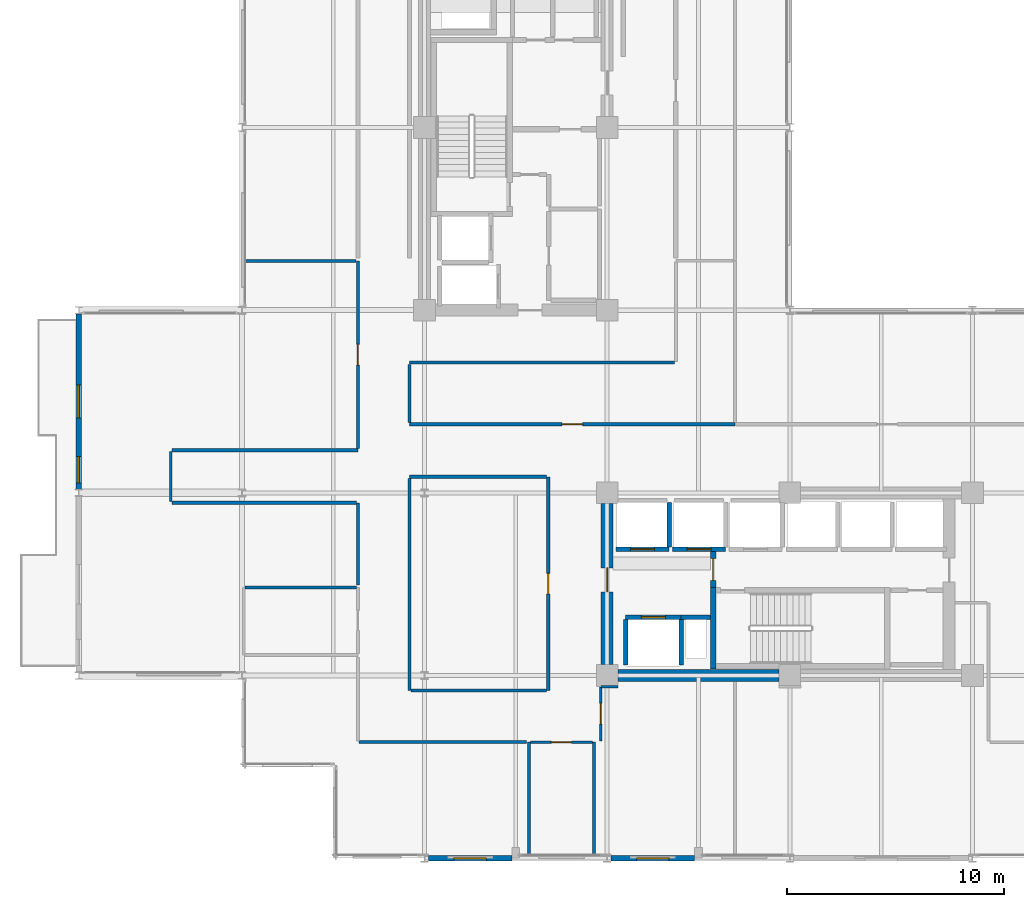
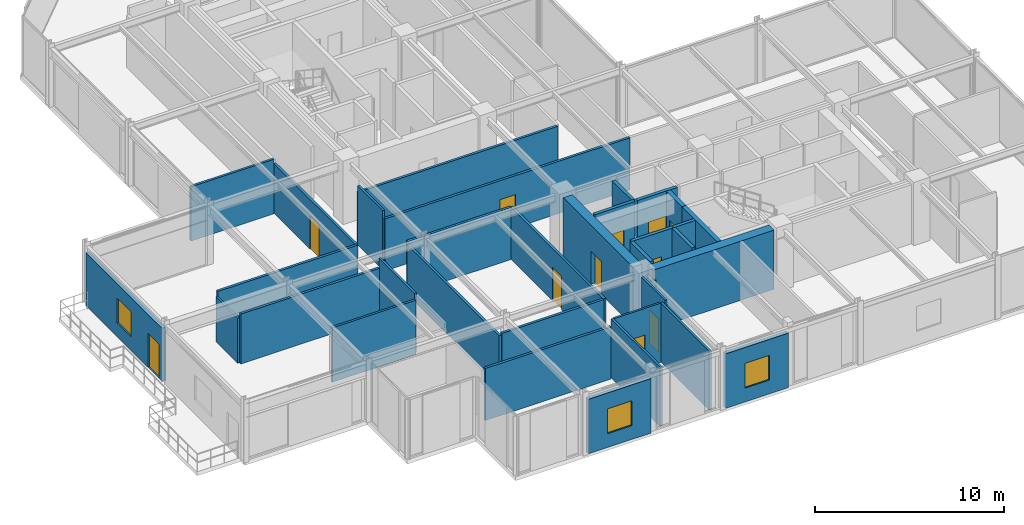
# One storey, part 24 of 29: 34 walls, 11 doors, 3 windows, 14 openings.
"""IFC4 building model written with IfcOpenShell, lengths in metres."""

from ifc_helpers import new_model, si_unit, direction, frame, frame_2d, origin, place, context, subcontext, project, spatial, rectangle, extrude, material, layer, layer_set, type_object, element, fill, save


model = new_model("IFC4")

# Units and contexts
model_context = context("Model", 3, precision=1e-05, world=origin(), true_north=direction((0.0, 1.0)))
body_context = subcontext(model_context, "Body", "Model", "MODEL_VIEW")
ifc_project = project(units=[si_unit("LENGTHUNIT", "METRE"), si_unit("AREAUNIT", "SQUARE_METRE"), si_unit("VOLUMEUNIT", "CUBIC_METRE"), si_unit("PLANEANGLEUNIT", "RADIAN"), si_unit("MASSUNIT", "GRAM", prefix="KILO")], contexts=[model_context])

# Site, building, storey
site_placement = place(None, origin())
site = spatial("IfcSite", under=ifc_project, at=site_placement, CompositionType="ELEMENT")
building_placement = place(site_placement, origin())
building = spatial("IfcBuilding", under=site, at=building_placement, Name="Nerrivon Quay Data Exchange", CompositionType="ELEMENT")
storey_placement = place(building_placement, frame((0.0, 0.0, 208.300048828125)))
storey = spatial("IfcBuildingStorey", under=building, at=storey_placement, Name="L49", CompositionType="ELEMENT", Elevation=208.300048828125)

# Wall, openings, door, window
ifc_material_1 = material(Name="Architectural terracotta precast concrete N50 (50 MPa)", Category="masonry")
ifc_layer_1 = layer(ifc_material_1, 0.239990234375)
ifc_layer_set_1 = layer_set([ifc_layer_1], Name="Architectural terracotta precast concrete N50 (50 MPa)")
wall_type_1 = type_object("IfcWallType", Name="EW-PREC-240", PredefinedType="STANDARD", material=ifc_layer_set_1)
wall_1_placement = place(storey_placement, frame((-7.5, 16.96337890625, 0.0), z_axis=(0.0, 0.0, 1.0), x_axis=(0.0, 1.0, 0.0)))
wall_1 = element("IfcWall", 1, at=wall_1_placement, inside=storey, type_object=wall_type_1, Name="L49 Terrace Host Wall 2", PredefinedType="STANDARD", context=body_context, shape_type="SweptSolid", body=[
    extrude(rectangle(XDim=8.0732421875, YDim=0.239990234375, at=frame_2d((4.03662109375, 0.0))), origin(), (0.0, 0.0, 1.0), 3.421875),
])
opening_1_placement = place(wall_1_placement, frame((0.300048828125, 0.0, 0.0)))
opening_1 = element("IfcOpeningElement", 2, at=opening_1_placement, cuts=wall_1, Name="Opening TD1", PredefinedType="OPENING", context=body_context, shape_type="SweptSolid", body=[
    extrude(rectangle(XDim=1.199951171875, YDim=2.199951171875, at=frame_2d((0.60009765625, 1.10009765625))), frame((0.0, 0.1298828125, 0.0), z_axis=(0.0, -1.0, 0.0), x_axis=(1.0, 0.0, 0.0)), (0.0, 0.0, 1.0), 0.260009765625),
])
opening_2_placement = place(wall_1_placement, frame((3.28662109375, 0.0, 0.89990234375)))
opening_2 = element("IfcOpeningElement", 3, at=opening_2_placement, cuts=wall_1, Name="Opening WN4", PredefinedType="OPENING", context=body_context, shape_type="SweptSolid", body=[
    extrude(rectangle(XDim=1.5, YDim=1.60009765625, at=frame_2d((0.75, 0.800048828125))), frame((0.0, 0.1298828125, 0.0), z_axis=(0.0, -1.0, 0.0), x_axis=(1.0, 0.0, 0.0)), (0.0, 0.0, 1.0), 0.260009765625),
])
ifc_material_2 = material(Name="Double-glazed low-E solar control glass", Category="glass")
door_type_1 = type_object("IfcDoorType", Name="DR-TERR-1200x2200", OperationType="NOTDEFINED", PredefinedType="DOOR", material=ifc_material_2)
door_1_placement = place(opening_1_placement, origin())
door_1 = element("IfcDoor", 4, at=door_1_placement, inside=storey, type_object=door_type_1, Name="L49 Outdoor Terrace Access Door 2", OperationType="SINGLE_SWING_LEFT", OverallHeight=2.199951171875, OverallWidth=1.199951171875, PredefinedType="DOOR", context=body_context, shape_type="SweptSolid", body=[
    extrude(rectangle(XDim=1.199951171875, YDim=2.199951171875, at=frame_2d((0.60009765625, 1.10009765625))), frame((0.0, 0.02490234375, 0.0), z_axis=(0.0, -1.0, 0.0), x_axis=(1.0, 0.0, 0.0)), (0.0, 0.0, 1.0), 0.050048828125),
])
fill(opening_1, door_1)
window_type = type_object("IfcWindowType", Name="WIN-W4-1500x1600", PartitioningType="SINGLE_PANEL", PredefinedType="WINDOW", material=ifc_material_2)
window_1_placement = place(opening_2_placement, origin())
window_1 = element("IfcWindow", 5, at=window_1_placement, inside=storey, type_object=window_type, Name="L49 Terrace Side Window 2", OverallHeight=1.60009765625, OverallWidth=1.5, PartitioningType="SINGLE_PANEL", PredefinedType="WINDOW", context=body_context, shape_type="SweptSolid", body=[
    extrude(rectangle(XDim=1.5, YDim=1.60009765625, at=frame_2d((0.75, 0.800048828125))), frame((0.0, 0.030029296875, 0.0), z_axis=(0.0, -1.0, 0.0), x_axis=(1.0, 0.0, 0.0)), (0.0, 0.0, 1.0), 0.06005859375),
])
fill(opening_2, window_1)

# Wall, opening, window
wall_2_placement = place(storey_placement, frame((20.824951171875, 0.0, 0.0), z_axis=(0.0, 0.0, 1.0), x_axis=(-1.0, 0.0, 0.0)))
wall_2 = element("IfcWall", 6, at=wall_2_placement, inside=storey, type_object=wall_type_1, Name="L49 Podium Precast Spandrel Wall 25", PredefinedType="STANDARD", context=body_context, shape_type="SweptSolid", body=[
    extrude(rectangle(XDim=3.849853515625, YDim=0.239990234375, at=frame_2d((1.9248046875, 0.0))), origin(), (0.0, 0.0, 1.0), 3.52490234375),
])
opening_3_placement = place(wall_2_placement, frame((1.175048828125, 0.0, 0.89990234375)))
opening_3 = element("IfcOpeningElement", 7, at=opening_3_placement, cuts=wall_2, Name="Opening WN4", PredefinedType="OPENING", context=body_context, shape_type="SweptSolid", body=[
    extrude(rectangle(XDim=1.5, YDim=1.60009765625, at=frame_2d((0.75, 0.800048828125))), frame((0.0, 0.1298828125, 0.0), z_axis=(0.0, -1.0, 0.0), x_axis=(1.0, 0.0, 0.0)), (0.0, 0.0, 1.0), 0.260009765625),
])
window_2_placement = place(opening_3_placement, origin())
window_2 = element("IfcWindow", 8, at=window_2_placement, inside=storey, type_object=window_type, Name="L49 Solar Facade Window 25", OverallHeight=1.60009765625, OverallWidth=1.5, PartitioningType="SINGLE_PANEL", PredefinedType="WINDOW", context=body_context, shape_type="SweptSolid", body=[
    extrude(rectangle(XDim=1.5, YDim=1.60009765625, at=frame_2d((0.75, 0.800048828125))), frame((0.0, 0.030029296875, 0.0), z_axis=(0.0, -1.0, 0.0), x_axis=(1.0, 0.0, 0.0)), (0.0, 0.0, 1.0), 0.06005859375),
])
fill(opening_3, window_2)

wall_3_placement = place(storey_placement, frame((12.425048828125, 0.0, 0.0), z_axis=(0.0, 0.0, 1.0), x_axis=(-1.0, 0.0, 0.0)))
wall_3 = element("IfcWall", 9, at=wall_3_placement, inside=storey, type_object=wall_type_1, Name="L49 Podium Precast Spandrel Wall 27", PredefinedType="STANDARD", context=body_context, shape_type="SweptSolid", body=[
    extrude(rectangle(XDim=3.85009765625, YDim=0.239990234375, at=frame_2d((1.925048828125, 0.0))), origin(), (0.0, 0.0, 1.0), 3.52490234375),
])
opening_4_placement = place(wall_3_placement, frame((1.175048828125, 0.0, 0.89990234375)))
opening_4 = element("IfcOpeningElement", 10, at=opening_4_placement, cuts=wall_3, Name="Opening WN4", PredefinedType="OPENING", context=body_context, shape_type="SweptSolid", body=[
    extrude(rectangle(XDim=1.5, YDim=1.60009765625, at=frame_2d((0.75, 0.800048828125))), frame((0.0, 0.1298828125, 0.0), z_axis=(0.0, -1.0, 0.0), x_axis=(1.0, 0.0, 0.0)), (0.0, 0.0, 1.0), 0.260009765625),
])
window_3_placement = place(opening_4_placement, origin())
window_3 = element("IfcWindow", 11, at=window_3_placement, inside=storey, type_object=window_type, Name="L49 Solar Facade Window 27", OverallHeight=1.60009765625, OverallWidth=1.5, PartitioningType="SINGLE_PANEL", PredefinedType="WINDOW", context=body_context, shape_type="SweptSolid", body=[
    extrude(rectangle(XDim=1.5, YDim=1.60009765625, at=frame_2d((0.75, 0.800048828125))), frame((0.0, 0.030029296875, 0.0), z_axis=(0.0, -1.0, 0.0), x_axis=(1.0, 0.0, 0.0)), (0.0, 0.0, 1.0), 0.06005859375),
])
fill(opening_4, window_3)

# Wall
ifc_material_3 = material(Name="Concrete S65 (65 MPa)", Category="concrete")
ifc_layer_2 = layer(ifc_material_3, 0.550048828125)
ifc_layer_set_2 = layer_set([ifc_layer_2], Name="Concrete S65 (65 MPa)")
wall_type_2 = type_object("IfcWallType", Name="WALL-CW-700", PredefinedType="SHEAR", material=ifc_layer_set_2)
wall_4_placement = place(storey_placement, frame((17.300048828125, 8.39990234375, 0.0), z_axis=(0.0, 0.0, 1.0), x_axis=(1.0, 0.0, 0.0)))
element("IfcWall", 12, at=wall_4_placement, inside=storey, type_object=wall_type_2, Name="L49 East Split-Core Shear Wall ECW-S1", PredefinedType="SHEAR", context=body_context, shape_type="SweptSolid", body=[
    extrude(rectangle(XDim=7.39990234375, YDim=0.550048828125, at=frame_2d((3.699951171875, 0.0))), origin(), (0.0, 0.0, 1.0), 3.824951171875),
])

# Wall, opening, door
wall_5_placement = place(storey_placement, frame((16.800048828125, 8.89990234375, 0.0), z_axis=(0.0, 0.0, 1.0), x_axis=(0.0, 1.0, 0.0)))
wall_5 = element("IfcWall", 13, at=wall_5_placement, inside=storey, type_object=wall_type_2, Name="L49 East Split-Core Shear Wall ECW-W1", PredefinedType="SHEAR", context=body_context, shape_type="SweptSolid", body=[
    extrude(rectangle(XDim=7.400146484375, YDim=0.550048828125, at=frame_2d((3.7001953125, 0.0))), origin(), (0.0, 0.0, 1.0), 3.824951171875),
])
opening_5_placement = place(wall_5_placement, frame((3.35009765625, 0.0, 0.0)))
opening_5 = element("IfcOpeningElement", 14, at=opening_5_placement, cuts=wall_5, Name="Opening FD-120", PredefinedType="OPENING", context=body_context, shape_type="SweptSolid", body=[
    extrude(rectangle(XDim=1.10009765625, YDim=2.14990234375, at=frame_2d((0.550048828125, 1.074951171875))), frame((0.0, 0.284912109375, 0.0), z_axis=(0.0, -1.0, 0.0), x_axis=(1.0, 0.0, 0.0)), (0.0, 0.0, 1.0), 0.570068359375),
])
ifc_material_4 = material(Name="Powder-coated galvanized steel sheet", Category="steel")
door_type_2 = type_object("IfcDoorType", Name="DR-FD120-1100", OperationType="NOTDEFINED", PredefinedType="DOOR", material=ifc_material_4)
door_2_placement = place(opening_5_placement, origin())
door_2 = element("IfcDoor", 15, at=door_2_placement, inside=storey, type_object=door_type_2, Name="L49 East Core Lobby Fire Door", OperationType="SINGLE_SWING_RIGHT", OverallHeight=2.14990234375, OverallWidth=1.10009765625, PredefinedType="DOOR", context=body_context, shape_type="SweptSolid", body=[
    extrude(rectangle(XDim=1.10009765625, YDim=2.14990234375, at=frame_2d((0.550048828125, 1.074951171875))), frame((0.0, 0.02490234375, 0.0), z_axis=(0.0, -1.0, 0.0), x_axis=(1.0, 0.0, 0.0)), (0.0, 0.0, 1.0), 0.050048828125),
])
fill(opening_5, door_2)

# Wall
ifc_material_5 = material(Name="Gypsum plasterboard on cold-formed framing", Category="gypsum")
ifc_layer_3 = layer(ifc_material_5, 0.199951171875)
ifc_layer_set_3 = layer_set([ifc_layer_3], Name="Gypsum plasterboard on cold-formed framing")
wall_type_3 = type_object("IfcWallType", Name="WALL-FW-200", PredefinedType="PARTITIONING", material=ifc_layer_set_3)
wall_6_placement = place(storey_placement, frame((20.199951171875, 11.080078125, 0.0), z_axis=(0.0, 0.0, 1.0), x_axis=(1.0, 0.0, 0.0)))
element("IfcWall", 16, at=wall_6_placement, inside=storey, type_object=wall_type_3, Name="L49 East Core MEP Riser Shaft Wall N", PredefinedType="PARTITIONING", context=body_context, shape_type="SweptSolid", body=[
    extrude(rectangle(XDim=1.35009765625, YDim=0.199951171875, at=frame_2d((0.675048828125, 0.0))), origin(), (0.0, 0.0, 1.0), 3.824951171875),
])

# Wall, opening, door
wall_7_placement = place(storey_placement, frame((17.64990234375, 11.080078125, 0.0), z_axis=(0.0, 0.0, 1.0), x_axis=(1.0, 0.0, 0.0)))
wall_7 = element("IfcWall", 17, at=wall_7_placement, inside=storey, type_object=wall_type_3, Name="L49 Lift Front Wall FFL-2", PredefinedType="PARTITIONING", context=body_context, shape_type="SweptSolid", body=[
    extrude(rectangle(XDim=2.550048828125, YDim=0.199951171875, at=frame_2d((1.27490234375, 0.0))), origin(), (0.0, 0.0, 1.0), 3.824951171875),
])
opening_6_placement = place(wall_7_placement, frame((0.72509765625, 0.0, 0.0)))
opening_6 = element("IfcOpeningElement", 18, at=opening_6_placement, cuts=wall_7, Name="Opening LD-120", PredefinedType="OPENING", context=body_context, shape_type="SweptSolid", body=[
    extrude(rectangle(XDim=1.10009765625, YDim=2.199951171875, at=frame_2d((0.550048828125, 1.10009765625))), frame((0.0, 0.10986328125, 0.0), z_axis=(0.0, -1.0, 0.0), x_axis=(1.0, 0.0, 0.0)), (0.0, 0.0, 1.0), 0.219970703125),
])
door_type_3 = type_object("IfcDoorType", Name="DR-LIFT-LD120", OperationType="DOUBLE_DOOR_SLIDING", PredefinedType="DOOR", material=ifc_material_4)
door_3_placement = place(opening_6_placement, origin())
door_3 = element("IfcDoor", 19, at=door_3_placement, inside=storey, type_object=door_type_3, Name="L49 Lift Landing Sliding Door FFL-2", OperationType="DOUBLE_DOOR_SLIDING", OverallHeight=2.199951171875, OverallWidth=1.10009765625, PredefinedType="DOOR", context=body_context, shape_type="SweptSolid", body=[
    extrude(rectangle(XDim=1.10009765625, YDim=2.199951171875, at=frame_2d((0.550048828125, 1.10009765625))), frame((0.0, 0.02490234375, 0.0), z_axis=(0.0, -1.0, 0.0), x_axis=(1.0, 0.0, 0.0)), (0.0, 0.0, 1.0), 0.050048828125),
])
fill(opening_6, door_3)

# Walls
for number, where, z_axis, x_axis, name in (
    (20, (20.199951171875, 8.8798828125, 0.0), (0.0, 0.0, 1.0), (0.0, 1.0, 0.0), "L49 Lift Shaft Wall FFL-2 EAST"),
    (21, (17.64990234375, 8.8798828125, 0.0), (0.0, 0.0, 1.0), (0.0, 1.0, 0.0), "L49 Lift Shaft Wall FFL-2 WEST"),
):
    element("IfcWall", number, at=place(storey_placement, frame(where, z_axis=z_axis, x_axis=x_axis)), inside=storey, type_object=wall_type_3, Name=name, PredefinedType="PARTITIONING", context=body_context, shape_type="SweptSolid", body=[
        extrude(rectangle(XDim=2.10009765625, YDim=0.199951171875, at=frame_2d((1.050048828125, 0.0))), origin(), (0.0, 0.0, 1.0), 3.824951171875),
    ])

# Wall, opening, door
wall_8_placement = place(storey_placement, frame((17.199951171875, 14.199951171875, 0.0), z_axis=(0.0, 0.0, 1.0), x_axis=(1.0, 0.0, 0.0)))
wall_8 = element("IfcWall", 22, at=wall_8_placement, inside=storey, type_object=wall_type_3, Name="L49 Lift Front Wall PL4", PredefinedType="PARTITIONING", context=body_context, shape_type="SweptSolid", body=[
    extrude(rectangle(XDim=2.449951171875, YDim=0.199951171875, at=frame_2d((1.22509765625, 0.0))), origin(), (0.0, 0.0, 1.0), 3.824951171875),
])
opening_7_placement = place(wall_8_placement, frame((0.675048828125, 0.0, 0.0)))
opening_7 = element("IfcOpeningElement", 23, at=opening_7_placement, cuts=wall_8, Name="Opening LD-120", PredefinedType="OPENING", context=body_context, shape_type="SweptSolid", body=[
    extrude(rectangle(XDim=1.10009765625, YDim=2.199951171875, at=frame_2d((0.550048828125, 1.10009765625))), frame((0.0, 0.10986328125, 0.0), z_axis=(0.0, -1.0, 0.0), x_axis=(1.0, 0.0, 0.0)), (0.0, 0.0, 1.0), 0.219970703125),
])
door_4_placement = place(opening_7_placement, origin())
door_4 = element("IfcDoor", 24, at=door_4_placement, inside=storey, type_object=door_type_3, Name="L49 Lift Landing Sliding Door PL4", OperationType="DOUBLE_DOOR_SLIDING", OverallHeight=2.199951171875, OverallWidth=1.10009765625, PredefinedType="DOOR", context=body_context, shape_type="SweptSolid", body=[
    extrude(rectangle(XDim=1.10009765625, YDim=2.199951171875, at=frame_2d((0.550048828125, 1.10009765625))), frame((0.0, 0.02490234375, 0.0), z_axis=(0.0, -1.0, 0.0), x_axis=(1.0, 0.0, 0.0)), (0.0, 0.0, 1.0), 0.050048828125),
])
fill(opening_7, door_4)

# Wall
wall_9_placement = place(storey_placement, frame((19.64990234375, 14.300048828125, 0.0), z_axis=(0.0, 0.0, 1.0), x_axis=(0.0, 1.0, 0.0)))
element("IfcWall", 25, at=wall_9_placement, inside=storey, type_object=wall_type_3, Name="L49 Lift Shaft Wall PL4 EAST", PredefinedType="PARTITIONING", context=body_context, shape_type="SweptSolid", body=[
    extrude(rectangle(XDim=2.050048828125, YDim=0.199951171875, at=frame_2d((1.02490234375, 0.0))), origin(), (0.0, 0.0, 1.0), 3.824951171875),
])

# Wall, opening, door
wall_10_placement = place(storey_placement, frame((19.800048828125, 14.199951171875, 0.0), z_axis=(0.0, 0.0, 1.0), x_axis=(1.0, 0.0, 0.0)))
wall_10 = element("IfcWall", 26, at=wall_10_placement, inside=storey, type_object=wall_type_3, Name="L49 Lift Front Wall PL5", PredefinedType="PARTITIONING", context=body_context, shape_type="SweptSolid", body=[
    extrude(rectangle(XDim=2.449951171875, YDim=0.199951171875, at=frame_2d((1.22509765625, 0.0))), origin(), (0.0, 0.0, 1.0), 3.824951171875),
])
opening_8_placement = place(wall_10_placement, frame((0.675048828125, 0.0, 0.0)))
opening_8 = element("IfcOpeningElement", 27, at=opening_8_placement, cuts=wall_10, Name="Opening LD-120", PredefinedType="OPENING", context=body_context, shape_type="SweptSolid", body=[
    extrude(rectangle(XDim=1.10009765625, YDim=2.199951171875, at=frame_2d((0.550048828125, 1.10009765625))), frame((0.0, 0.10986328125, 0.0), z_axis=(0.0, -1.0, 0.0), x_axis=(1.0, 0.0, 0.0)), (0.0, 0.0, 1.0), 0.219970703125),
])
door_5_placement = place(opening_8_placement, origin())
door_5 = element("IfcDoor", 28, at=door_5_placement, inside=storey, type_object=door_type_3, Name="L49 Lift Landing Sliding Door PL5", OperationType="DOUBLE_DOOR_SLIDING", OverallHeight=2.199951171875, OverallWidth=1.10009765625, PredefinedType="DOOR", context=body_context, shape_type="SweptSolid", body=[
    extrude(rectangle(XDim=1.10009765625, YDim=2.199951171875, at=frame_2d((0.550048828125, 1.10009765625))), frame((0.0, 0.02490234375, 0.0), z_axis=(0.0, -1.0, 0.0), x_axis=(1.0, 0.0, 0.0)), (0.0, 0.0, 1.0), 0.050048828125),
])
fill(opening_8, door_5)

ifc_layer_4 = layer(ifc_material_5, 0.1201171875)
ifc_layer_set_4 = layer_set([ifc_layer_4], Name="Gypsum plasterboard on cold-formed framing")
wall_type_4 = type_object("IfcWallType", Name="WALL-PT-120", PredefinedType="PARTITIONING", material=ifc_layer_set_4)
wall_11_placement = place(storey_placement, frame((16.12841796875, 5.340087890625, 0.0), z_axis=(0.0, 0.0, 1.0), x_axis=(-1.0, 0.0, 0.0)))
wall_11 = element("IfcWall", 29, at=wall_11_placement, inside=storey, type_object=wall_type_4, Name="L49 Partition Accessible Toilet", PredefinedType="PARTITIONING", context=body_context, shape_type="SweptSolid", body=[
    extrude(rectangle(XDim=2.85693359375, YDim=0.1201171875, at=frame_2d((1.428466796875, 0.0))), origin(), (0.0, 0.0, 1.0), 3.824951171875),
])
opening_9_placement = place(wall_11_placement, frame((0.968505859375, 0.0, 0.0)))
opening_9 = element("IfcOpeningElement", 30, at=opening_9_placement, cuts=wall_11, Name="Opening D-WC", PredefinedType="OPENING", context=body_context, shape_type="SweptSolid", body=[
    extrude(rectangle(XDim=0.919921875, YDim=2.10009765625, at=frame_2d((0.4599609375, 1.050048828125))), frame((0.0, 0.070068359375, 0.0), z_axis=(0.0, -1.0, 0.0), x_axis=(1.0, 0.0, 0.0)), (0.0, 0.0, 1.0), 0.14013671875),
])
ifc_material_6 = material(Name="Engineered hardwood timber", Category="wood")
door_type_4 = type_object("IfcDoorType", Name="DR-WC-920", OperationType="NOTDEFINED", PredefinedType="DOOR", material=ifc_material_6)
door_6_placement = place(opening_9_placement, origin())
door_6 = element("IfcDoor", 31, at=door_6_placement, inside=storey, type_object=door_type_4, Name="L49 Door Accessible Toilet", OperationType="SINGLE_SWING_RIGHT", OverallHeight=2.10009765625, OverallWidth=0.919921875, PredefinedType="DOOR", context=body_context, shape_type="SweptSolid", body=[
    extrude(rectangle(XDim=0.919921875, YDim=2.10009765625, at=frame_2d((0.4599609375, 1.050048828125))), frame((0.0, 0.02490234375, 0.0), z_axis=(0.0, -1.0, 0.0), x_axis=(1.0, 0.0, 0.0)), (0.0, 0.0, 1.0), 0.050048828125),
])
fill(opening_9, door_6)

# Wall
wall_12_placement = place(storey_placement, frame((17.305908203125, 7.880859375, 0.0), z_axis=(0.0, 0.0, 1.0), x_axis=(-0.999999247244, -0.001226992941, 0.0)))
element("IfcWall", 32, at=wall_12_placement, inside=storey, type_object=wall_type_4, Name="L49 Partition Staff Pantry", PredefinedType="PARTITIONING", context=body_context, shape_type="SweptSolid", body=[
    extrude(rectangle(XDim=0.7958984375, YDim=0.1201171875, at=frame_2d((0.39794921875, 0.0))), origin(), (0.0, 0.0, 1.0), 3.370849609375),
])

# Wall, opening, door
wall_13_placement = place(storey_placement, frame((16.510009765625, 7.8798828125, 0.0), z_axis=(0.0, 0.0, 1.0), x_axis=(0.0, -1.0, 0.0)))
wall_13 = element("IfcWall", 33, at=wall_13_placement, inside=storey, type_object=wall_type_4, Name="L49 Partition Staff Pantry", PredefinedType="PARTITIONING", context=body_context, shape_type="SweptSolid", body=[
    extrude(rectangle(XDim=2.47998046875, YDim=0.1201171875, at=frame_2d((1.239990234375, 0.0))), origin(), (0.0, 0.0, 1.0), 3.824951171875),
])
opening_10_placement = place(wall_13_placement, frame((0.764892578125, 0.0, 0.0)))
opening_10 = element("IfcOpeningElement", 34, at=opening_10_placement, cuts=wall_13, Name="Opening D-01", PredefinedType="OPENING", context=body_context, shape_type="SweptSolid", body=[
    extrude(rectangle(XDim=0.949951171875, YDim=2.14990234375, at=frame_2d((0.47509765625, 1.074951171875))), frame((0.0, 0.070068359375, 0.0), z_axis=(0.0, -1.0, 0.0), x_axis=(1.0, 0.0, 0.0)), (0.0, 0.0, 1.0), 0.14013671875),
])
door_type_5 = type_object("IfcDoorType", Name="DR-INT-950", OperationType="NOTDEFINED", PredefinedType="DOOR", material=ifc_material_6)
door_7_placement = place(opening_10_placement, origin())
door_7 = element("IfcDoor", 35, at=door_7_placement, inside=storey, type_object=door_type_5, Name="L49 Door Staff Pantry", OperationType="SINGLE_SWING_RIGHT", OverallHeight=2.14990234375, OverallWidth=0.949951171875, PredefinedType="DOOR", context=body_context, shape_type="SweptSolid", body=[
    extrude(rectangle(XDim=0.949951171875, YDim=2.14990234375, at=frame_2d((0.47509765625, 1.074951171875))), frame((0.0, 0.02490234375, 0.0), z_axis=(0.0, -1.0, 0.0), x_axis=(1.0, 0.0, 0.0)), (0.0, 0.0, 1.0), 0.050048828125),
])
fill(opening_10, door_7)

# Walls
wall_14_placement = place(storey_placement, frame((7.7099609375, 22.7109375, 0.0), z_axis=(0.0, 0.0, 1.0), x_axis=(0.0, -1.0, 0.0)))
element("IfcWall", 36, at=wall_14_placement, inside=storey, type_object=wall_type_4, Name="L49 Partition Network Security Control", PredefinedType="PARTITIONING", context=body_context, shape_type="SweptSolid", body=[
    extrude(rectangle(XDim=2.671875, YDim=0.1201171875, at=frame_2d((1.3359375, 0.0))), origin(), (0.0, 0.0, 1.0), 3.824951171875),
])
wall_15_placement = place(storey_placement, frame((-3.260009765625, 16.39990234375, 0.0), z_axis=(0.0, 0.0, 1.0), x_axis=(0.0, 1.0, 0.0)))
element("IfcWall", 37, at=wall_15_placement, inside=storey, type_object=wall_type_4, Name="L49 Partition Technical Library", PredefinedType="PARTITIONING", context=body_context, shape_type="SweptSolid", body=[
    extrude(rectangle(XDim=2.300048828125, YDim=0.1201171875, at=frame_2d((1.14990234375, 0.0))), origin(), (0.0, 0.0, 1.0), 2.9150390625),
])
ifc_layer_5 = layer(ifc_material_5, 0.135009765625)
ifc_layer_set_5 = layer_set([ifc_layer_5], Name="Gypsum plasterboard on cold-formed framing")
wall_type_5 = type_object("IfcWallType", Name="WALL-PT-135", PredefinedType="PARTITIONING", material=ifc_layer_set_5)
for number, where, z_axis, x_axis, name in (
    (38, (13.199951171875, 5.340087890625, 0.0), (0.0, 0.0, 1.0), (0.0, -1.0, 0.0), "L49 Partition Accessible Toilet"),
    (39, (16.199951171875, 0.1689453125, 0.0), (0.0, 0.0, 1.0), (0.0, 1.0, 0.0), "L49 Partition Accessible Toilet"),
):
    element("IfcWall", number, at=place(storey_placement, frame(where, z_axis=z_axis, x_axis=x_axis)), inside=storey, type_object=wall_type_5, Name=name, PredefinedType="PARTITIONING", context=body_context, shape_type="SweptSolid", body=[
        extrude(rectangle(XDim=5.171142578125, YDim=0.135009765625, at=frame_2d((2.58544921875, 0.0))), origin(), (0.0, 0.0, 1.0), 3.824951171875),
    ])
wall_16_placement = place(storey_placement, frame((5.27587890625, 12.449951171875, 0.0), z_axis=(0.0, 0.0, 1.0), x_axis=(-1.0, 0.0, 0.0)))
element("IfcWall", 40, at=wall_16_placement, inside=storey, type_object=wall_type_5, Name="L49 Partition Public Washrooms", PredefinedType="PARTITIONING", context=body_context, shape_type="SweptSolid", body=[
    extrude(rectangle(XDim=5.1318359375, YDim=0.135009765625, at=frame_2d((2.56591796875, 0.0))), origin(), (0.0, 0.0, 1.0), 3.51806640625),
])
wall_17_placement = place(storey_placement, frame((5.340087890625, 12.570068359375, 0.0), z_axis=(0.0, 0.0, 1.0), x_axis=(0.0, 1.0, 0.0)))
element("IfcWall", 41, at=wall_17_placement, inside=storey, type_object=wall_type_5, Name="L49 Partition Technical Library", PredefinedType="PARTITIONING", context=body_context, shape_type="SweptSolid", body=[
    extrude(rectangle(XDim=3.77001953125, YDim=0.135009765625, at=frame_2d((1.885009765625, 0.0))), origin(), (0.0, 0.0, 1.0), 3.824951171875),
])
wall_18_placement = place(storey_placement, frame((5.260986328125, 27.46923828125, 0.0), z_axis=(0.0, 0.0, 1.0), x_axis=(-1.0, 0.0, 0.0)))
element("IfcWall", 42, at=wall_18_placement, inside=storey, type_object=wall_type_5, Name="L49 Partition Technical Library", PredefinedType="PARTITIONING", context=body_context, shape_type="SweptSolid", body=[
    extrude(rectangle(XDim=5.092041015625, YDim=0.135009765625, at=frame_2d((2.5458984375, 0.0))), origin(), (0.0, 0.0, 1.0), 3.51806640625),
])

# Wall, opening, door
ifc_layer_6 = layer(ifc_material_5, 0.14990234375)
ifc_layer_set_6 = layer_set([ifc_layer_6], Name="Gypsum plasterboard on cold-formed framing")
wall_type_6 = type_object("IfcWallType", Name="WALL-PT-150", PredefinedType="PARTITIONING", material=ifc_layer_set_6)
wall_19_placement = place(storey_placement, frame((7.7099609375, 19.9599609375, 0.0), z_axis=(0.0, 0.0, 1.0), x_axis=(1.0, 0.0, 0.0)))
wall_19 = element("IfcWall", 43, at=wall_19_placement, inside=storey, type_object=wall_type_6, Name="L49 Partition Network Security Control", PredefinedType="PARTITIONING", context=body_context, shape_type="SweptSolid", body=[
    extrude(rectangle(XDim=14.963134765625, YDim=0.14990234375, at=frame_2d((7.4814453125, 0.0))), origin(), (0.0, 0.0, 1.0), 3.370849609375),
])
opening_11_placement = place(wall_19_placement, frame((7.006591796875, 0.0, 0.0)))
opening_11 = element("IfcOpeningElement", 44, at=opening_11_placement, cuts=wall_19, Name="Opening D-01", PredefinedType="OPENING", context=body_context, shape_type="SweptSolid", body=[
    extrude(rectangle(XDim=0.949951171875, YDim=2.14990234375, at=frame_2d((0.47509765625, 1.074951171875))), frame((0.0, 0.0849609375, 0.0), z_axis=(0.0, -1.0, 0.0), x_axis=(1.0, 0.0, 0.0)), (0.0, 0.0, 1.0), 0.169921875),
])
door_8_placement = place(opening_11_placement, origin())
door_8 = element("IfcDoor", 45, at=door_8_placement, inside=storey, type_object=door_type_5, Name="L49 Door Network Security Control", OperationType="SINGLE_SWING_LEFT", OverallHeight=2.14990234375, OverallWidth=0.949951171875, PredefinedType="DOOR", context=body_context, shape_type="SweptSolid", body=[
    extrude(rectangle(XDim=0.949951171875, YDim=2.14990234375, at=frame_2d((0.47509765625, 1.074951171875))), frame((0.0, 0.02490234375, 0.0), z_axis=(0.0, -1.0, 0.0), x_axis=(1.0, 0.0, 0.0)), (0.0, 0.0, 1.0), 0.050048828125),
])
fill(opening_11, door_8)

# Wall
wall_20_placement = place(storey_placement, frame((19.89990234375, 22.7900390625, 0.0), z_axis=(0.0, 0.0, 1.0), x_axis=(-1.0, 0.0, 0.0)))
element("IfcWall", 46, at=wall_20_placement, inside=storey, type_object=wall_type_6, Name="L49 Partition Network Security Control", PredefinedType="PARTITIONING", context=body_context, shape_type="SweptSolid", body=[
    extrude(rectangle(XDim=12.18994140625, YDim=0.14990234375, at=frame_2d((6.094970703125, 0.0))), origin(), (0.0, 0.0, 1.0), 3.370849609375),
])

# Wall, opening, door
wall_21_placement = place(storey_placement, frame((14.090087890625, 7.7099609375, 0.0), z_axis=(0.0, 0.0, 1.0), x_axis=(0.0, 1.0, 0.0)))
wall_21 = element("IfcWall", 47, at=wall_21_placement, inside=storey, type_object=wall_type_6, Name="L49 Partition Mail and Crew Room", PredefinedType="PARTITIONING", context=body_context, shape_type="SweptSolid", body=[
    extrude(rectangle(XDim=9.830078125, YDim=0.14990234375, at=frame_2d((4.9150390625, 0.0))), origin(), (0.0, 0.0, 1.0), 3.364990234375),
])
opening_12_placement = place(wall_21_placement, frame((4.43994140625, 0.0, 0.0)))
opening_12 = element("IfcOpeningElement", 48, at=opening_12_placement, cuts=wall_21, Name="Opening D-01", PredefinedType="OPENING", context=body_context, shape_type="SweptSolid", body=[
    extrude(rectangle(XDim=0.949951171875, YDim=2.14990234375, at=frame_2d((0.47509765625, 1.074951171875))), frame((0.0, 0.0849609375, 0.0), z_axis=(0.0, -1.0, 0.0), x_axis=(1.0, 0.0, 0.0)), (0.0, 0.0, 1.0), 0.169921875),
])
door_9_placement = place(opening_12_placement, origin())
door_9 = element("IfcDoor", 49, at=door_9_placement, inside=storey, type_object=door_type_5, Name="L49 Door Mail and Crew Room", OperationType="SINGLE_SWING_RIGHT", OverallHeight=2.14990234375, OverallWidth=0.949951171875, PredefinedType="DOOR", context=body_context, shape_type="SweptSolid", body=[
    extrude(rectangle(XDim=0.949951171875, YDim=2.14990234375, at=frame_2d((0.47509765625, 1.074951171875))), frame((0.0, 0.02490234375, 0.0), z_axis=(0.0, -1.0, 0.0), x_axis=(1.0, 0.0, 0.0)), (0.0, 0.0, 1.0), 0.050048828125),
])
fill(opening_12, door_9)

# Walls
wall_22_placement = place(storey_placement, frame((14.010986328125, 17.5400390625, 0.0), z_axis=(0.0, 0.0, 1.0), x_axis=(-1.0, 0.0, 0.0)))
element("IfcWall", 50, at=wall_22_placement, inside=storey, type_object=wall_type_6, Name="L49 Partition Mail and Crew Room", PredefinedType="PARTITIONING", context=body_context, shape_type="SweptSolid", body=[
    extrude(rectangle(XDim=6.301025390625, YDim=0.14990234375, at=frame_2d((3.150390625, 0.0))), origin(), (0.0, 0.0, 1.0), 3.370849609375),
])
wall_23_placement = place(storey_placement, frame((7.7099609375, 17.4609375, 0.0), z_axis=(0.0, 0.0, 1.0), x_axis=(0.0, -1.0, 0.0)))
element("IfcWall", 51, at=wall_23_placement, inside=storey, type_object=wall_type_6, Name="L49 Partition Mail and Crew Room", PredefinedType="PARTITIONING", context=body_context, shape_type="SweptSolid", body=[
    extrude(rectangle(XDim=9.7509765625, YDim=0.14990234375, at=frame_2d((4.87548828125, 0.0))), origin(), (0.0, 0.0, 1.0), 3.212890625),
])
wall_24_placement = place(storey_placement, frame((7.7890625, 7.7099609375, 0.0), z_axis=(0.0, 0.0, 1.0), x_axis=(1.0, 0.0, 0.0)))
element("IfcWall", 52, at=wall_24_placement, inside=storey, type_object=wall_type_6, Name="L49 Partition Mail and Crew Room", PredefinedType="PARTITIONING", context=body_context, shape_type="SweptSolid", body=[
    extrude(rectangle(XDim=6.221923828125, YDim=0.14990234375, at=frame_2d((3.11083984375, 0.0))), origin(), (0.0, 0.0, 1.0), 3.370849609375),
])
wall_25_placement = place(storey_placement, frame((13.080078125, 5.340087890625, 0.0), z_axis=(0.0, 0.0, 1.0), x_axis=(-1.0, 0.0, 0.0)))
element("IfcWall", 53, at=wall_25_placement, inside=storey, type_object=wall_type_6, Name="L49 Partition Technical Library", PredefinedType="PARTITIONING", context=body_context, shape_type="SweptSolid", body=[
    extrude(rectangle(XDim=7.68017578125, YDim=0.14990234375, at=frame_2d((3.840087890625, 0.0))), origin(), (0.0, 0.0, 1.0), 3.370849609375),
])
wall_26_placement = place(storey_placement, frame((5.2685546875, 16.340087890625, 0.0), z_axis=(0.0, 0.0, 1.0), x_axis=(-1.0, 0.0, 0.0)))
element("IfcWall", 54, at=wall_26_placement, inside=storey, type_object=wall_type_6, Name="L49 Partition Technical Library", PredefinedType="PARTITIONING", context=body_context, shape_type="SweptSolid", body=[
    extrude(rectangle(XDim=8.468505859375, YDim=0.14990234375, at=frame_2d((4.234375, 0.0))), origin(), (0.0, 0.0, 1.0), 3.222900390625),
])
wall_27_placement = place(storey_placement, frame((-3.199951171875, 18.760009765625, 0.0), z_axis=(0.0, 0.0, 1.0), x_axis=(1.0, 0.0, 0.0)))
element("IfcWall", 55, at=wall_27_placement, inside=storey, type_object=wall_type_6, Name="L49 Partition Technical Library", PredefinedType="PARTITIONING", context=body_context, shape_type="SweptSolid", body=[
    extrude(rectangle(XDim=8.5400390625, YDim=0.14990234375, at=frame_2d((4.27001953125, 0.0))), origin(), (0.0, 0.0, 1.0), 3.222900390625),
])

# Wall, opening, door
wall_28_placement = place(storey_placement, frame((5.340087890625, 18.839111328125, 0.0), z_axis=(0.0, 0.0, 1.0), x_axis=(0.0, 1.0, 0.0)))
wall_28 = element("IfcWall", 56, at=wall_28_placement, inside=storey, type_object=wall_type_6, Name="L49 Partition Technical Library", PredefinedType="PARTITIONING", context=body_context, shape_type="SweptSolid", body=[
    extrude(rectangle(XDim=8.630126953125, YDim=0.14990234375, at=frame_2d((4.31494140625, 0.0))), origin(), (0.0, 0.0, 1.0), 3.212890625),
])
opening_13_placement = place(wall_28_placement, frame((3.840087890625, 0.0, 0.0)))
opening_13 = element("IfcOpeningElement", 57, at=opening_13_placement, cuts=wall_28, Name="Opening D-01", PredefinedType="OPENING", context=body_context, shape_type="SweptSolid", body=[
    extrude(rectangle(XDim=0.949951171875, YDim=2.14990234375, at=frame_2d((0.47509765625, 1.074951171875))), frame((0.0, 0.0849609375, 0.0), z_axis=(0.0, -1.0, 0.0), x_axis=(1.0, 0.0, 0.0)), (0.0, 0.0, 1.0), 0.169921875),
])
door_10_placement = place(opening_13_placement, origin())
door_10 = element("IfcDoor", 58, at=door_10_placement, inside=storey, type_object=door_type_5, Name="L49 Door Technical Library", OperationType="SINGLE_SWING_LEFT", OverallHeight=2.14990234375, OverallWidth=0.949951171875, PredefinedType="DOOR", context=body_context, shape_type="SweptSolid", body=[
    extrude(rectangle(XDim=0.949951171875, YDim=2.14990234375, at=frame_2d((0.47509765625, 1.074951171875))), frame((0.0, 0.02490234375, 0.0), z_axis=(0.0, -1.0, 0.0), x_axis=(1.0, 0.0, 0.0)), (0.0, 0.0, 1.0), 0.050048828125),
])
fill(opening_13, door_10)

# Wall
ifc_material_7 = material(Name="Concrete N50 (50 MPa)", Category="concrete")
ifc_layer_7 = layer(ifc_material_7, 0.25)
ifc_layer_set_7 = layer_set([ifc_layer_7], Name="Concrete N50 (50 MPa)")
wall_type_7 = type_object("IfcWallType", Name="WALL-SW-250", PredefinedType="SHEAR", material=ifc_layer_set_7)
wall_29_placement = place(storey_placement, frame((21.675048828125, 8.699951171875, 0.0), z_axis=(0.0, 0.0, 1.0), x_axis=(0.0, 1.0, 0.0)))
element("IfcWall", 59, at=wall_29_placement, inside=storey, type_object=wall_type_7, Name="L49 ST02 Structural Stair Core Wall NEAR", PredefinedType="SHEAR", context=body_context, shape_type="SweptSolid", body=[
    extrude(rectangle(XDim=3.75, YDim=0.25, at=frame_2d((1.875, 0.0))), origin(), (0.0, 0.0, 1.0), 3.824951171875),
])

# Wall, opening, door
wall_30_placement = place(storey_placement, frame((21.679931640625, 12.449951171875, 0.0), z_axis=(0.0, 0.0, 1.0), x_axis=(0.0, 1.0, 0.0)))
wall_30 = element("IfcWall", 60, at=wall_30_placement, inside=storey, type_object=wall_type_7, Name="L49 East Firefighting Lobby Wall", PredefinedType="SHEAR", context=body_context, shape_type="SweptSolid", body=[
    extrude(rectangle(XDim=1.650146484375, YDim=0.25, at=frame_2d((0.8251953125, 0.0))), origin(), (0.0, 0.0, 1.0), 3.824951171875),
])
opening_14_placement = place(wall_30_placement, frame((0.324951171875, 0.0, 0.0)))
opening_14 = element("IfcOpeningElement", 61, at=opening_14_placement, cuts=wall_30, Name="Opening FD-60", PredefinedType="OPENING", context=body_context, shape_type="SweptSolid", body=[
    extrude(rectangle(XDim=1.0, YDim=2.14990234375, at=frame_2d((0.5, 1.074951171875))), frame((0.0, 0.135009765625, 0.0), z_axis=(0.0, -1.0, 0.0), x_axis=(1.0, 0.0, 0.0)), (0.0, 0.0, 1.0), 0.27001953125),
])
door_type_6 = type_object("IfcDoorType", Name="DR-FD60-1000", OperationType="NOTDEFINED", PredefinedType="DOOR", material=ifc_material_6)
door_11_placement = place(opening_14_placement, origin())
door_11 = element("IfcDoor", 62, at=door_11_placement, inside=storey, type_object=door_type_6, Name="L49 East Firefighting Lobby Fire Door", OperationType="SINGLE_SWING_RIGHT", OverallHeight=2.14990234375, OverallWidth=1.0, PredefinedType="DOOR", context=body_context, shape_type="SweptSolid", body=[
    extrude(rectangle(XDim=1.0, YDim=2.14990234375, at=frame_2d((0.5, 1.074951171875))), frame((0.0, 0.02490234375, 0.0), z_axis=(0.0, -1.0, 0.0), x_axis=(1.0, 0.0, 0.0)), (0.0, 0.0, 1.0), 0.050048828125),
])
fill(opening_14, door_11)

save(model, "model.ifc")
